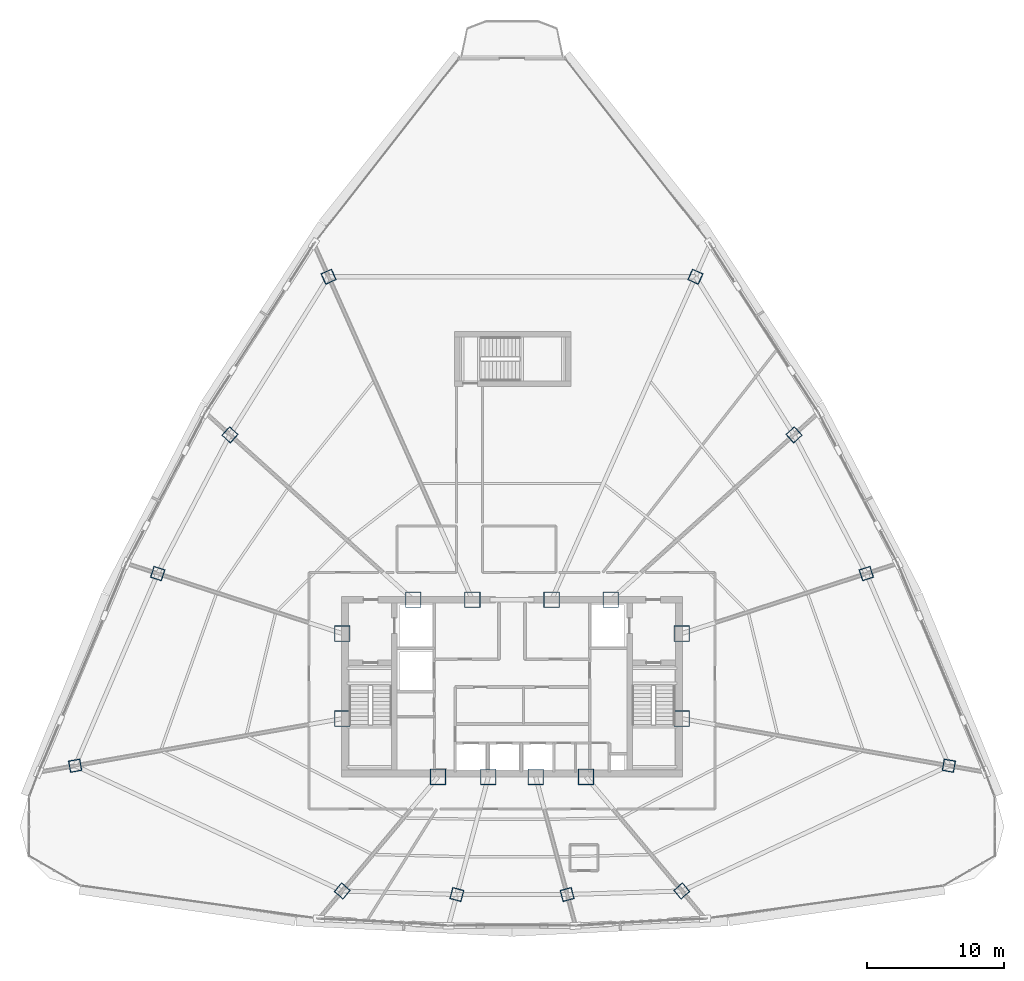
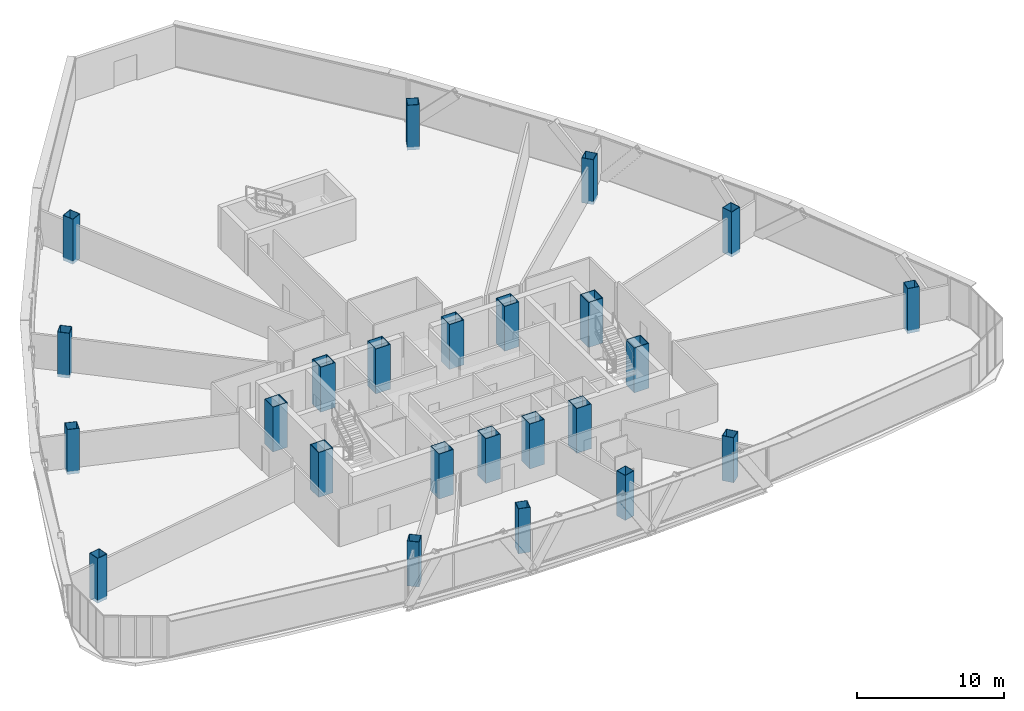
# One storey, part 1 of 37: 24 columns.
"""IFC4 building model written with IfcOpenShell, lengths in metres."""

from ifc_helpers import new_model, si_unit, direction, frame, origin, origin_2d, place, context, subcontext, project, spatial, hollow_rectangle, extrude, source, transform, mapped, material, material_profile, profile_set, type_object, element, save


model = new_model("IFC4")

# Units and contexts
model_context = context("Model", 3, precision=1e-05, world=origin(), true_north=direction((0.0, 1.0)))
body_context = subcontext(model_context, "Body", "Model", "MODEL_VIEW")
ifc_project = project(units=[si_unit("LENGTHUNIT", "METRE"), si_unit("AREAUNIT", "SQUARE_METRE"), si_unit("VOLUMEUNIT", "CUBIC_METRE"), si_unit("PLANEANGLEUNIT", "RADIAN"), si_unit("MASSUNIT", "GRAM", prefix="KILO"), si_unit("THERMODYNAMICTEMPERATUREUNIT", "KELVIN"), si_unit("POWERUNIT", "WATT")], contexts=[model_context])

# Site, building, storey
site_placement = place(None, origin())
site = spatial("IfcSite", under=ifc_project, at=site_placement, CompositionType="ELEMENT")
building_placement = place(site_placement, origin())
building = spatial("IfcBuilding", under=site, at=building_placement, Name="Yunzhuo Pagoda Commons", CompositionType="ELEMENT")
storey_placement = place(building_placement, frame((0.0, 0.0, 240.800048828125)))
storey = spatial("IfcBuildingStorey", under=building, at=storey_placement, Name="L60", CompositionType="ELEMENT", Elevation=240.800048828125)

# Columns
ifc_material_1 = material(Name="Structural steel Q420B", Category="steel")
ifc_material_profile_1 = material_profile(ifc_material_1, hollow_rectangle(XDim=1.14990234375, YDim=1.14990234375, WallThickness=0.048095703125, at=origin_2d()), Name="Structural steel Q420B")
ifc_profile_set_1 = profile_set([ifc_material_profile_1], Name="Structural steel Q420B")
column_type_1 = type_object("IfcColumnType", Name="C-COR Column BOX 1150x1150x48", PredefinedType="COLUMN", material=ifc_profile_set_1)
shared_shape_1 = source(origin(), body_context, "Body", "SweptSolid", [
    extrude(hollow_rectangle(XDim=1.14990234375, YDim=1.14990234375, WallThickness=0.048095703125, at=origin_2d()), origin(), (0.0, 0.0, 1.0), 3.730224609375),
])
for number, where, z_axis, x_axis, name in (
    (1, (42.587890625, 27.25, -0.260009765625), (0.0, 0.0, 1.0), (1.0, 0.0, 0.0), "L60 core composite column F1C1"),
    (2, (46.27197265625, 27.25, -0.260009765625), (0.0, 0.0, 1.0), (1.0, 0.0, 0.0), "L60 core composite column F1C2"),
    (3, (49.728515625, 27.25, -0.260009765625), (0.0, 0.0, 1.0), (1.0, 0.0, 0.0), "L60 core composite column F1C3"),
    (4, (53.412109375, 27.25, -0.260009765625), (0.0, 0.0, 1.0), (1.0, 0.0, 0.0), "L60 core composite column F1C4"),
    (5, (60.39990234375, 31.513427734375, -0.260009765625), (0.0, 0.0, 1.0), (1.0, 0.0, 0.0), "L60 core composite column F2C1"),
    (6, (60.39990234375, 37.72900390625, -0.260009765625), (0.0, 0.0, 1.0), (1.0, 0.0, 0.0), "L60 core composite column F2C2"),
    (7, (55.218994140625, 40.199951171875, -0.260009765625), (0.0, 0.0, 1.0), (1.0, 0.0, 0.0), "L60 core composite column F2C3"),
    (8, (50.89404296875, 40.199951171875, -0.260009765625), (0.0, 0.0, 1.0), (1.0, 0.0, 0.0), "L60 core composite column F2C4"),
    (9, (45.10595703125, 40.199951171875, -0.260009765625), (0.0, 0.0, 1.0), (1.0, 0.0, 0.0), "L60 core composite column F3C1"),
    (10, (40.781005859375, 40.199951171875, -0.260009765625), (0.0, 0.0, 1.0), (1.0, 0.0, 0.0), "L60 core composite column F3C2"),
    (11, (35.60009765625, 37.72900390625, -0.260009765625), (0.0, 0.0, 1.0), (1.0, 0.0, 0.0), "L60 core composite column F3C3"),
    (12, (35.60009765625, 31.513427734375, -0.260009765625), (0.0, 0.0, 1.0), (1.0, 0.0, 0.0), "L60 core composite column F3C4"),
):
    element("IfcColumn", number, at=place(storey_placement, frame(where, z_axis=z_axis, x_axis=x_axis)), inside=storey, type_object=column_type_1, Name=name, PredefinedType="COLUMN", context=body_context, shape_type="MappedRepresentation", body=[
        mapped(shared_shape_1, transform((0.0, 0.0, 0.0), scale=1.0)),
    ])
ifc_material_2 = material(Name="Structural steel Q355B", Category="steel")
ifc_material_profile_2 = material_profile(ifc_material_2, hollow_rectangle(XDim=0.85009765625, YDim=0.85009765625, WallThickness=0.033935546875, at=origin_2d()), Name="Structural steel Q355B")
ifc_profile_set_2 = profile_set([ifc_material_profile_2], Name="Structural steel Q355B")
column_type_2 = type_object("IfcColumnType", Name="C-Z5 Column BOX 850x850x34", PredefinedType="COLUMN", material=ifc_profile_set_2)
shared_shape_2 = source(origin(), body_context, "Body", "SweptSolid", [
    extrude(hollow_rectangle(XDim=0.85009765625, YDim=0.85009765625, WallThickness=0.033935546875, at=origin_2d()), origin(), (0.0, 0.0, 1.0), 3.730224609375),
])
for number, where, z_axis, x_axis, name in (
    (13, (35.593017578125, 18.913818359375, -0.260009765625), (0.0, 0.0, 1.0), (0.766044443119, -0.642787609687, 0.0), "L60 tower column F1C1"),
    (14, (43.968505859375, 18.654052734375, -0.260009765625), (0.0, 0.0, 1.0), (0.965925826289, -0.258819045103, 0.0), "L60 tower column F1C2"),
    (15, (52.031494140625, 18.654052734375, -0.260009765625), (0.0, 0.0, 1.0), (0.965925826289, 0.258819045103, 0.0), "L60 tower column F1C3"),
    (16, (60.406982421875, 18.913818359375, -0.260009765625), (0.0, 0.0, 1.0), (0.766044443119, 0.642787609687, 0.0), "L60 tower column F1C4"),
    (17, (79.93408203125, 28.069091796875, -0.260009765625), (0.0, 0.0, 1.0), (0.173648177667, 0.984807753012, 0.0), "L60 tower column F2C1"),
    (18, (73.898681640625, 42.114990234375, -0.260009765625), (0.0, 0.0, 1.0), (-0.309016994375, 0.951056516295, 0.0), "L60 tower column F2C2"),
    (19, (68.61181640625, 52.259033203125, -0.260009765625), (0.0, 0.0, 1.0), (-0.669130606359, 0.743144825477, 0.0), "L60 tower column F2C3"),
    (20, (61.40673828125, 63.81201171875, -0.260009765625), (0.0, 0.0, 1.0), (-0.913545457643, 0.406736643076, 0.0), "L60 tower column F2C4"),
    (21, (34.59326171875, 63.81201171875, -0.260009765625), (0.0, 0.0, 1.0), (-0.913545457643, -0.406736643076, 0.0), "L60 tower column F3C1"),
    (22, (27.38818359375, 52.259033203125, -0.260009765625), (0.0, 0.0, 1.0), (-0.669130606359, -0.743144825477, 0.0), "L60 tower column F3C2"),
    (23, (22.101806640625, 42.114990234375, -0.260009765625), (0.0, 0.0, 1.0), (-0.309016994375, -0.951056516295, 0.0), "L60 tower column F3C3"),
    (24, (16.06591796875, 28.069091796875, -0.260009765625), (0.0, 0.0, 1.0), (0.173648177667, -0.984807753012, 0.0), "L60 tower column F3C4"),
):
    element("IfcColumn", number, at=place(storey_placement, frame(where, z_axis=z_axis, x_axis=x_axis)), inside=storey, type_object=column_type_2, Name=name, PredefinedType="COLUMN", context=body_context, shape_type="MappedRepresentation", body=[
        mapped(shared_shape_2, transform((0.0, 0.0, 0.0), scale=1.0)),
    ])

save(model, "model.ifc")
